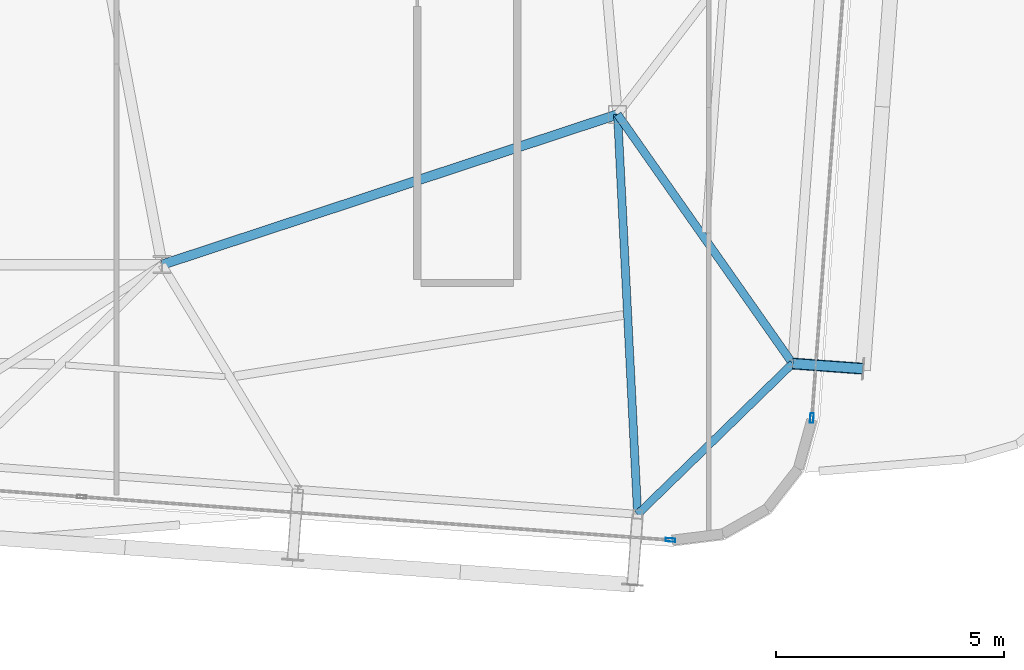
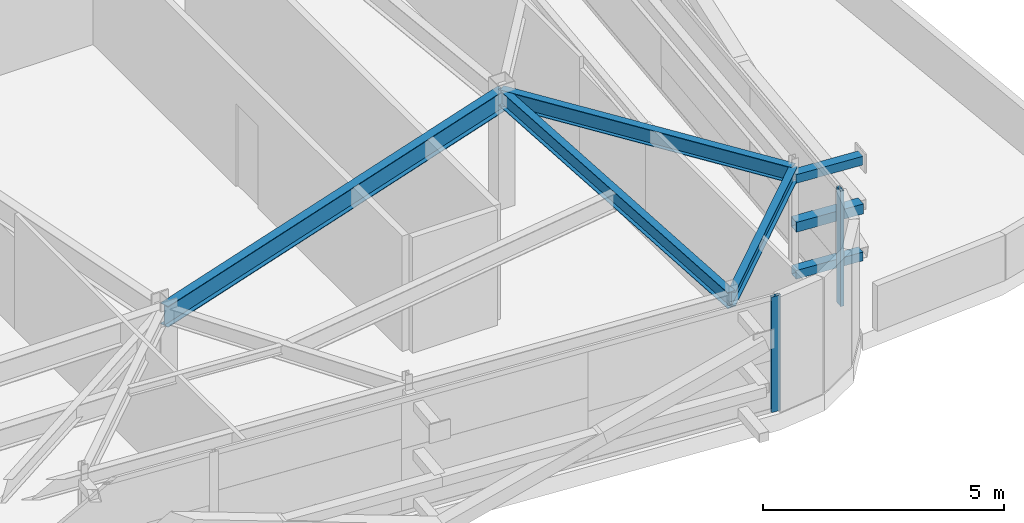
# One storey, part 16 of 37: 5 members, 4 beams, 2 elements without a shape of their own.
"""IFC4 building model written with IfcOpenShell, lengths in metres."""

import ifcopenshell
import ifcopenshell.guid

model = None  # the IFC model being written
_history = None  # IfcOwnerHistory: only IFC2X3 demands one
_inside = {}  # id of a spatial element -> (the spatial element, [elements in it])
_under = {}  # id of a project, library or spatial element -> (it, [spatial elements below it])
_declared = {}  # id of a project -> (the project, [libraries it declares])
_typed = {}  # id of a type object -> (the type object, [elements of that type])
_made_of = {}  # id of a material, layer set ... -> (it, [elements and type objects made of it])


def new_model(schema):
    """Start an empty IFC model of exactly this schema.

    Asked for "IFC4X3", IfcOpenShell would pick the latest addendum, in which some entities
    have other attributes; the version numbers below select the first issue.
    IFC2X3 requires an IfcOwnerHistory on every rooted entity: one is made here for all.
    """
    global model, _history
    if schema == "IFC4X3":
        model = ifcopenshell.file(schema_version=(4, 3, 0, 0))
    else:
        model = ifcopenshell.file(schema=schema)
    _inside.clear()
    _under.clear()
    _declared.clear()
    _typed.clear()
    _made_of.clear()
    _history = None
    if model.schema == "IFC2X3":
        org = make("IfcOrganization", Name="unknown")
        user = make(
            "IfcPersonAndOrganization",
            ThePerson=make("IfcPerson", FamilyName="unknown"),
            TheOrganization=org,
        )
        app = make(
            "IfcApplication",
            ApplicationDeveloper=org,
            Version="unknown",
            ApplicationFullName="unknown",
            ApplicationIdentifier="unknown",
        )
        _history = make(
            "IfcOwnerHistory",
            OwningUser=user,
            OwningApplication=app,
            ChangeAction="ADDED",
            CreationDate=0,
        )
    return model


def make(cls, **values):
    """One entity of the class cls with the attributes given. An attribute that is None is left unset."""
    return model.create_entity(
        cls, **{name: value for name, value in values.items() if value is not None}
    )


def rooted(cls, **values):
    """An entity with a GlobalId (a new one), such as an element, a storey or a relation."""
    return make(cls, GlobalId=ifcopenshell.guid.new(), OwnerHistory=_history, **values)


def si_unit(unit_type, name, prefix=None):
    """IfcSIUnit, for example si_unit("LENGTHUNIT", "METRE", prefix="MILLI")."""
    return make("IfcSIUnit", UnitType=unit_type, Prefix=prefix, Name=name)


def assignment(units):
    """IfcUnitAssignment: the units of a project."""
    return None if units is None else make("IfcUnitAssignment", Units=units)


def point(xyz):
    """IfcCartesianPoint."""
    return None if xyz is None else make("IfcCartesianPoint", Coordinates=xyz)


def direction(xyz):
    """IfcDirection."""
    return None if xyz is None else make("IfcDirection", DirectionRatios=xyz)


def frame(location, z_axis=None, x_axis=None):
    """IfcAxis2Placement3D, a coordinate frame: its origin and axes. An axis left out is left unset."""
    return make(
        "IfcAxis2Placement3D",
        Location=point(location),
        Axis=direction(z_axis),
        RefDirection=direction(x_axis),
    )


def frame_2d(location, x_axis=None):
    """IfcAxis2Placement2D, a coordinate frame in the plane: its origin and x axis."""
    return make(
        "IfcAxis2Placement2D", Location=point(location), RefDirection=direction(x_axis)
    )


def origin():
    """The frame at (0, 0, 0) with its axes left unset."""
    return frame((0.0, 0.0, 0.0))


def origin_2d():
    """The frame at (0, 0) in the plane with its x axis left unset."""
    return frame_2d((0.0, 0.0))


def place(relative_to, where):
    """IfcLocalPlacement: puts the frame where relative to a parent placement (None: the world)."""
    return make(
        "IfcLocalPlacement", PlacementRelTo=relative_to, RelativePlacement=where
    )


def context(
    kind, dimensions, precision=None, world=None, true_north=None, identifier=None
):
    """IfcGeometricRepresentationContext, for example the 3D "Model" context."""
    return make(
        "IfcGeometricRepresentationContext",
        ContextIdentifier=identifier,
        ContextType=kind,
        CoordinateSpaceDimension=dimensions,
        Precision=precision,
        WorldCoordinateSystem=world,
        TrueNorth=true_north,
    )


def subcontext(parent, identifier, kind, view, scale=None):
    """IfcGeometricRepresentationSubContext, for example "Body" below "Model"."""
    return make(
        "IfcGeometricRepresentationSubContext",
        ContextIdentifier=identifier,
        ContextType=kind,
        ParentContext=parent,
        TargetScale=scale,
        TargetView=view,
    )


def project(units=None, contexts=None):
    """IfcProject with its units and contexts."""
    return rooted(
        "IfcProject",
        Name="project",
        RepresentationContexts=contexts,
        UnitsInContext=assignment(units),
    )


def spatial(cls, under=None, at=None, **own):
    """A site, building, storey or space (cls), placed at a placement, below another one or the project."""
    s = rooted(cls, ObjectPlacement=at, **own)
    if under is not None:
        _under.setdefault(under.id(), (under, []))[1].append(s)
    return s


def profile(cls, at=None, kind="AREA", **sizes):
    """A parametric profile (cls). Its sizes go by their IFC names, for example OverallWidth=200.0."""
    return make(cls, ProfileType=kind, Position=at, **sizes)


def hollow_rectangle(**sizes):
    """IfcRectangleHollowProfileDef."""
    return profile("IfcRectangleHollowProfileDef", **sizes)


def i_section(**sizes):
    """IfcIShapeProfileDef."""
    return profile("IfcIShapeProfileDef", **sizes)


def extrude(swept, where, along, depth):
    """IfcExtrudedAreaSolid: the profile swept, set in the frame where, extruded along a direction by depth."""
    return make(
        "IfcExtrudedAreaSolid",
        SweptArea=swept,
        Position=where,
        ExtrudedDirection=direction(along),
        Depth=depth,
    )


def shape(context_of_items, identifier, shape_type, items):
    """IfcShapeRepresentation: the items that make up one representation, for example the "Body"."""
    return make(
        "IfcShapeRepresentation",
        ContextOfItems=context_of_items,
        RepresentationIdentifier=identifier,
        RepresentationType=shape_type,
        Items=items,
    )


def source(mapping_origin, context_of_items, identifier, shape_type, items):
    """IfcRepresentationMap: a shape defined once, which mapped items show again and again."""
    return make(
        "IfcRepresentationMap",
        MappingOrigin=mapping_origin,
        MappedRepresentation=shape(context_of_items, identifier, shape_type, items),
    )


def transform(
    local_origin,
    x_axis=None,
    y_axis=None,
    z_axis=None,
    scale=None,
    scale2=None,
    scale3=None,
    uniform=True,
):
    """IfcCartesianTransformationOperator3D, or its non-uniform kind. x_axis, y_axis, z_axis: its Axis1, 2, 3."""
    if uniform:
        return make(
            "IfcCartesianTransformationOperator3D",
            Axis1=direction(x_axis),
            Axis2=direction(y_axis),
            LocalOrigin=point(local_origin),
            Scale=scale,
            Axis3=direction(z_axis),
        )
    return make(
        "IfcCartesianTransformationOperator3DnonUniform",
        Axis1=direction(x_axis),
        Axis2=direction(y_axis),
        LocalOrigin=point(local_origin),
        Scale=scale,
        Axis3=direction(z_axis),
        Scale2=scale2,
        Scale3=scale3,
    )


def mapped(mapping_source, mapping_target):
    """IfcMappedItem: shows the shape of a source again, moved by a transform."""
    return make(
        "IfcMappedItem", MappingSource=mapping_source, MappingTarget=mapping_target
    )


def material(Name=None, Category=None):
    """IfcMaterial."""
    return make("IfcMaterial", Name=Name, Category=Category)


def layer(
    of_material, thickness, ventilated=None, Name=None, Category=None, Priority=None
):
    """IfcMaterialLayer: one layer of a wall or slab, of a material (None: an air gap)."""
    return make(
        "IfcMaterialLayer",
        Material=of_material,
        LayerThickness=thickness,
        IsVentilated=ventilated,
        Name=Name,
        Category=Category,
        Priority=Priority,
    )


def layer_set(layers, Name=None):
    """IfcMaterialLayerSet."""
    return make("IfcMaterialLayerSet", MaterialLayers=layers, LayerSetName=Name)


def material_profile(
    of_material, cross_section, Name=None, Category=None, Priority=None
):
    """IfcMaterialProfile: a cross section and its material."""
    return make(
        "IfcMaterialProfile",
        Name=Name,
        Material=of_material,
        Profile=cross_section,
        Priority=Priority,
        Category=Category,
    )


def profile_set(profiles, Name=None, composite=None):
    """IfcMaterialProfileSet."""
    return make(
        "IfcMaterialProfileSet",
        Name=Name,
        MaterialProfiles=profiles,
        CompositeProfile=composite,
    )


def made_of(thing, what):
    """Note that an element or type object is made of a material, layer set ...; save() writes the relation."""
    if what is not None:
        _made_of.setdefault(what.id(), (what, []))[1].append(thing)
    return thing


def type_object(cls, material=None, **own):
    """A type object (cls), such as IfcWallType, which elements share."""
    return made_of(rooted(cls, **own), material)


def element(
    cls,
    number,
    at=None,
    inside=None,
    cuts=None,
    type_object=None,
    material=None,
    context=None,
    identifier="Body",
    shape_type=None,
    held_by="IfcProductDefinitionShape",
    body=None,
    shapes=None,
    **own,
):
    """One element of the class cls, such as IfcWall. Its Tag is "e" and its number.

    at: its placement. inside: the storey or other place that contains it. cuts: it is an
    opening in that element (IfcRelVoidsElement). A single representation is given by context,
    identifier, shape_type and body (its items); several are given by shapes. held_by: the class
    of the entity that holds the representations. save() writes the other relations.
    """
    e = rooted(cls, Tag="e%d" % number, ObjectPlacement=at, **own)
    if body is not None:
        shapes = [shape(context, identifier, shape_type, body)]
    if shapes is not None:
        e.Representation = make(held_by, Representations=shapes)
    if inside is not None:
        _inside.setdefault(inside.id(), (inside, []))[1].append(e)
    if cuts is not None:
        rooted(
            "IfcRelVoidsElement", RelatingBuildingElement=cuts, RelatedOpeningElement=e
        )
    if type_object is not None:
        _typed.setdefault(type_object.id(), (type_object, []))[1].append(e)
    return made_of(e, material)


def aggregate(whole, parts):
    """IfcRelAggregates: a whole, such as a stair, and the parts it consists of."""
    return rooted("IfcRelAggregates", RelatingObject=whole, RelatedObjects=parts)


def save(model, path):
    """Write the relations noted so far, then the file.

    IfcRelAggregates (storeys below a building ...), IfcRelContainedInSpatialStructure (elements
    in a storey), IfcRelDefinesByType, IfcRelAssociatesMaterial and IfcRelDeclares: one each for
    every whole, place, type object, material and project.
    """
    for whole, parts in _under.values():
        aggregate(whole, parts)
    for where, things in _inside.values():
        rooted(
            "IfcRelContainedInSpatialStructure",
            RelatedElements=things,
            RelatingStructure=where,
        )
    for kind, things in _typed.values():
        rooted("IfcRelDefinesByType", RelatedObjects=things, RelatingType=kind)
    for what, things in _made_of.values():
        rooted("IfcRelAssociatesMaterial", RelatedObjects=things, RelatingMaterial=what)
    for by, libraries in _declared.values():
        rooted("IfcRelDeclares", RelatingContext=by, RelatedDefinitions=libraries)
    model.write(path)


model = new_model("IFC4")

# Units and contexts
model_context = context("Model", 3, precision=1e-05, world=origin(), true_north=direction((0.0, 1.0)))
body_context = subcontext(model_context, "Body", "Model", "MODEL_VIEW")
ifc_project = project(units=[si_unit("LENGTHUNIT", "METRE"), si_unit("AREAUNIT", "SQUARE_METRE"), si_unit("VOLUMEUNIT", "CUBIC_METRE"), si_unit("PLANEANGLEUNIT", "RADIAN"), si_unit("MASSUNIT", "GRAM", prefix="KILO")], contexts=[model_context])

# Site, building, storey
site_placement = place(None, origin())
site = spatial("IfcSite", under=ifc_project, at=site_placement, CompositionType="ELEMENT")
building_placement = place(site_placement, origin())
building = spatial("IfcBuilding", under=site, at=building_placement, Name="Taldren Reach Tower", CompositionType="ELEMENT")
storey_placement = place(building_placement, frame((0.0, 0.0, 211.39990234375)))
storey = spatial("IfcBuildingStorey", under=building, at=storey_placement, Name="L64", CompositionType="ELEMENT", Elevation=211.39990234375)

# Beams
ifc_material_1 = material(Name="Steel Gr 350 (350PLUS)", Category="steel")
ifc_material_profile_1 = material_profile(ifc_material_1, i_section(OverallWidth=0.208984375, OverallDepth=0.532958984375, WebThickness=0.01025390625, FlangeThickness=0.015625, at=origin_2d()), Name="530UB92.4")
ifc_profile_set_1 = profile_set([ifc_material_profile_1], Name="Steel Gr 350 (350PLUS)")
beam_type_1 = type_object("IfcBeamType", Name="BM-UB530A", PredefinedType="BEAM", material=ifc_profile_set_1)
shared_shape_1 = source(origin(), body_context, "Body", "SweptSolid", [
    extrude(i_section(OverallWidth=0.208984375, OverallDepth=0.532958984375, WebThickness=0.01025390625, FlangeThickness=0.015625, at=origin_2d()), origin(), (0.0, 0.0, 1.0), 10.530517578125),
])
beam_1_placement = place(storey_placement, frame((42.0, 9.199951171875, 2.66357421875), z_axis=(0.949627269203, 0.313381635689, 0.0), x_axis=(-0.313381635689, 0.949627269203, 0.0)))
element("IfcBeam", 1, at=beam_1_placement, inside=storey, type_object=beam_type_1, Name="Core-spine girder L64-SP12", PredefinedType="BEAM", context=body_context, shape_type="MappedRepresentation", body=[
    mapped(shared_shape_1, transform((0.0, 0.0, 0.0), scale=1.0)),
])
ifc_material_profile_2 = material_profile(ifc_material_1, i_section(OverallWidth=0.172119140625, OverallDepth=0.35888671875, WebThickness=0.008056640625, FlangeThickness=0.012939453125, at=origin_2d()), Name="360UB56.7")
ifc_profile_set_2 = profile_set([ifc_material_profile_2], Name="Steel Gr 350 (350PLUS)")
beam_type_2 = type_object("IfcBeamType", Name="SP-UB360", PredefinedType="SPANDREL", material=ifc_profile_set_2)
shared_shape_2 = source(origin(), body_context, "Body", "SweptSolid", [
    extrude(i_section(OverallWidth=0.172119140625, OverallDepth=0.35888671875, WebThickness=0.008056640625, FlangeThickness=0.012939453125, at=origin_2d()), origin(), (0.0, 0.0, 1.0), 4.74609375),
])
beam_2_placement = place(storey_placement, frame((52.440185546875, 3.72119140625, 2.75048828125), z_axis=(0.716711338436, 0.697369957309, 0.0), x_axis=(-0.697369957309, 0.716711338436, 0.0)))
element("IfcBeam", 2, at=beam_2_placement, inside=storey, type_object=beam_type_2, Name="Perimeter spandrel B5 S6-E1 L64", PredefinedType="SPANDREL", context=body_context, shape_type="MappedRepresentation", body=[
    mapped(shared_shape_2, transform((0.0, 0.0, 0.0), scale=1.0)),
])
ifc_material_profile_3 = material_profile(ifc_material_1, i_section(OverallWidth=0.177978515625, OverallDepth=0.406005859375, WebThickness=0.0078125, FlangeThickness=0.0126953125, at=origin_2d()), Name="410UB59.7")
ifc_profile_set_3 = profile_set([ifc_material_profile_3], Name="Steel Gr 350 (350PLUS)")
beam_type_3 = type_object("IfcBeamType", Name="BM-UB410", PredefinedType="BEAM", material=ifc_profile_set_3)
shared_shape_3 = source(origin(), body_context, "Body", "SweptSolid", [
    extrude(i_section(OverallWidth=0.177978515625, OverallDepth=0.406005859375, WebThickness=0.0078125, FlangeThickness=0.0126953125, at=origin_2d()), origin(), (0.0, 0.0, 1.0), 8.789794921875),
])
beam_3_placement = place(storey_placement, frame((52.0, 12.5, 2.72705078125), z_axis=(0.050078917367, -0.998745263836, 0.0), x_axis=(0.998745263836, 0.050078917367, 0.0)))
element("IfcBeam", 3, at=beam_3_placement, inside=storey, type_object=beam_type_3, Name="Primary floor girder B5-S6 L64", PredefinedType="BEAM", context=body_context, shape_type="MappedRepresentation", body=[
    mapped(shared_shape_3, transform((0.0, 0.0, 0.0), scale=1.0)),
])
shared_shape_4 = source(origin(), body_context, "Body", "SweptSolid", [
    extrude(i_section(OverallWidth=0.177978515625, OverallDepth=0.406005859375, WebThickness=0.0078125, FlangeThickness=0.0126953125, at=origin_2d()), origin(), (0.0, 0.0, 1.0), 6.68359375),
])
beam_4_placement = place(storey_placement, frame((52.0, 12.5, 2.72705078125), z_axis=(0.574817292651, -0.818281785249, 0.0), x_axis=(0.818281785249, 0.574817292651, 0.0)))
element("IfcBeam", 4, at=beam_4_placement, inside=storey, type_object=beam_type_3, Name="Primary floor girder B5-E1 L64", PredefinedType="BEAM", context=body_context, shape_type="MappedRepresentation", body=[
    mapped(shared_shape_4, transform((0.0, 0.0, 0.0), scale=1.0)),
])

# Members
ifc_material_2 = material(Name="Steel Gr 450 (C450L0)", Category="steel")
ifc_material_profile_4 = material_profile(ifc_material_2, hollow_rectangle(XDim=0.219970703125, YDim=0.219970703125, WallThickness=0.00830078125, at=origin_2d()), Name="220x220x8.2SHS")
ifc_profile_set_4 = profile_set([ifc_material_profile_4], Name="Steel Gr 450 (C450L0)")
member_type_1 = type_object("IfcMemberType", Name="MB-TIE219", PredefinedType="STRUT", material=ifc_profile_set_4)
shared_shape_5 = source(origin(), body_context, "Body", "SweptSolid", [
    extrude(hollow_rectangle(XDim=0.219970703125, YDim=0.219970703125, WallThickness=0.00830078125, at=origin_2d()), origin(), (0.0, 0.0, 1.0), 1.546142578125),
])
for number, where, z_axis, x_axis, name in (
    (5, (55.845703125, 7.030517578125, 2.650146484375), (0.997323903953, -0.073109716202, 0.0), (0.073109716202, 0.997323903953, 0.0), "Exoskeleton diaphragm tie strut B5-E1 L64"),
    (6, (55.845703125, 7.030517578125, 0.22021484375), (0.997323903953, -0.073109716202, 0.0), (0.073109716202, 0.997323903953, 0.0), "Exoskeleton base diaphragm tie strut B5-E1 L64"),
):
    element("IfcMember", number, at=place(storey_placement, frame(where, z_axis=z_axis, x_axis=x_axis)), inside=storey, type_object=member_type_1, Name=name, PredefinedType="STRUT", context=body_context, shape_type="MappedRepresentation", body=[
        mapped(shared_shape_5, transform((0.0, 0.0, 0.0), scale=1.0)),
    ])
ifc_material_3 = material(Name="Steel Gr 350 (C350L0)", Category="steel")
ifc_material_profile_5 = material_profile(ifc_material_3, hollow_rectangle(XDim=0.25, YDim=0.25, WallThickness=0.010009765625, at=origin_2d()), Name="250x250x10.0SHS")
ifc_profile_set_5 = profile_set([ifc_material_profile_5], Name="Steel Gr 350 (C350L0)")
member_type_2 = type_object("IfcMemberType", Name="MB-POST250", PredefinedType="POST", material=ifc_profile_set_5)
shared_shape_6 = source(origin(), body_context, "Body", "SweptSolid", [
    extrude(hollow_rectangle(XDim=0.25, YDim=0.25, WallThickness=0.010009765625, at=origin_2d()), origin(), (0.0, 0.0, 1.0), 1.546142578125),
])
member_1_placement = place(storey_placement, frame((55.845703125, 7.030517578125, 1.43505859375), z_axis=(0.997323903953, -0.073109716202, 0.0), x_axis=(0.073109716202, 0.997323903953, 0.0)))
element("IfcMember", 7, at=member_1_placement, inside=storey, type_object=member_type_2, Name="Exoskeleton mid-tier diaphragm tie B5-E1 L64", PredefinedType="POST", context=body_context, shape_type="MappedRepresentation", body=[
    mapped(shared_shape_6, transform((0.0, 0.0, 0.0), scale=1.0)),
])

# Curtain wall, member
ifc_material_4 = material(Name="Aluminium and Low-E Glass Unitised System", Category="aluminium")
ifc_layer = layer(ifc_material_4, 0.159912109375)
ifc_layer_set = layer_set([ifc_layer], Name="Aluminium and Low-E Glass Unitised System")
curtain_wall_type = type_object("IfcCurtainWallType", Name="CW-SYS-6", PredefinedType="NOTDEFINED", material=ifc_layer_set)
curtain_wall_1_placement = place(storey_placement, origin())
curtain_wall_1 = element("IfcCurtainWall", 8, at=curtain_wall_1_placement, inside=storey, type_object=curtain_wall_type, Name="Unitised curtain wall CW-L64-S", PredefinedType="NOTDEFINED")
ifc_material_5 = material(Name="Anodised Aluminium 6063-T6", Category="aluminium")
ifc_material_profile_6 = material_profile(ifc_material_5, hollow_rectangle(XDim=0.074951171875, YDim=0.2099609375, WallThickness=0.00439453125, at=origin_2d()), Name="ALU-210x75x4.5RHS")
ifc_profile_set_6 = profile_set([ifc_material_profile_6], Name="Anodised Aluminium 6063-T6")
member_type_3 = type_object("IfcMemberType", Name="CW-MUL-200", PredefinedType="MULLION", material=ifc_profile_set_6)
shared_shape_7 = source(origin(), body_context, "Body", "SweptSolid", [
    extrude(hollow_rectangle(XDim=0.074951171875, YDim=0.2099609375, WallThickness=0.00439453125, at=origin_2d()), origin(), (0.0, 0.0, 1.0), 2.93017578125),
])
member_2_placement = place(storey_placement, frame((53.163330078125, 3.15673828125, 0.0), z_axis=(0.0, 0.0, 1.0), x_axis=(0.073238213716, 0.997314476006, 0.0)))
member_2 = element("IfcMember", 9, at=member_2_placement, type_object=member_type_3, Name="CW-6 mullion 4", PredefinedType="MULLION", context=body_context, shape_type="MappedRepresentation", body=[
    mapped(shared_shape_7, transform((0.0, 0.0, 0.0), scale=1.0)),
])
aggregate(curtain_wall_1, [member_2])

curtain_wall_2_placement = place(storey_placement, origin())
curtain_wall_2 = element("IfcCurtainWall", 10, at=curtain_wall_2_placement, inside=storey, type_object=curtain_wall_type, Name="Unitised curtain wall CW-L64-E", PredefinedType="NOTDEFINED")
member_3_placement = place(storey_placement, frame((56.26513671875, 5.834228515625, 0.0), z_axis=(0.0, 0.0, 1.0), x_axis=(-0.997314470951, 0.073238282558, 0.0)))
member_3 = element("IfcMember", 11, at=member_3_placement, type_object=member_type_3, Name="CW-6 mullion 1", PredefinedType="MULLION", context=body_context, shape_type="MappedRepresentation", body=[
    mapped(shared_shape_7, transform((0.0, 0.0, 0.0), scale=1.0)),
])
aggregate(curtain_wall_2, [member_3])

save(model, "model.ifc")
